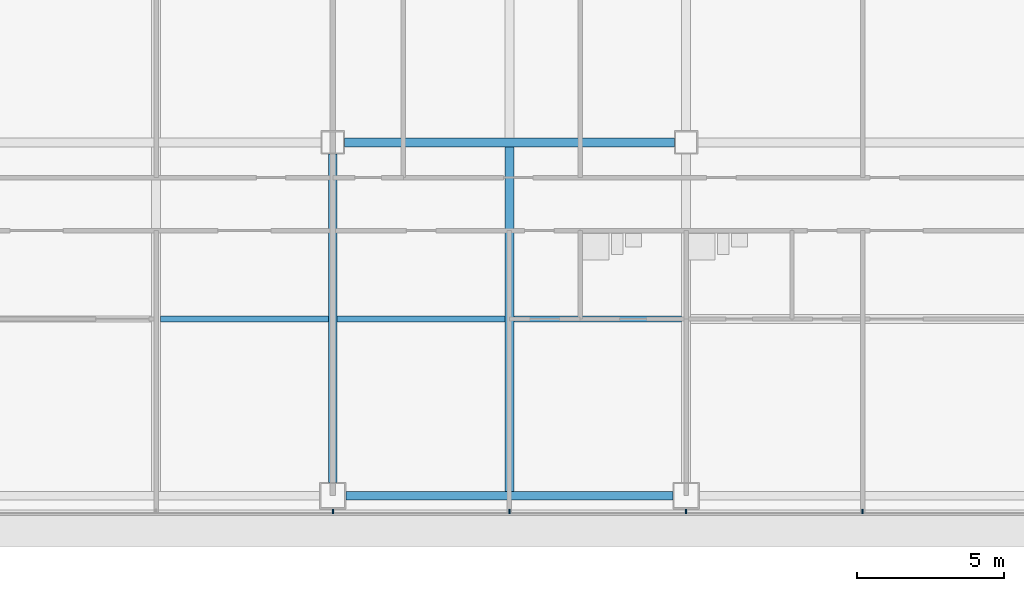
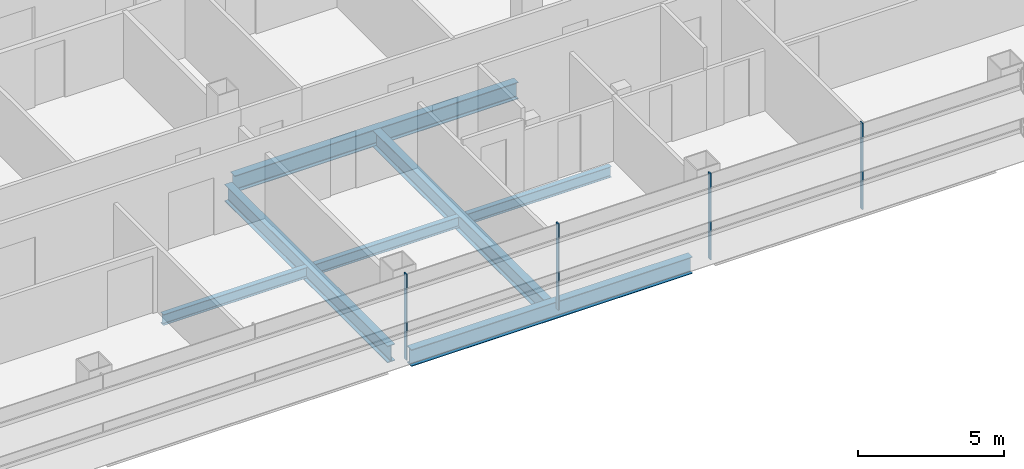
# One storey, part 8 of 27: 7 beams, 4 members, 1 element without a shape of its own.
"""IFC4 building model written with IfcOpenShell, lengths in metres."""

from ifc_helpers import new_model, si_unit, direction, frame, origin, origin_2d, place, context, subcontext, project, spatial, rectangle, i_section, extrude, material, material_profile, profile_set, type_object, element, aggregate, save


model = new_model("IFC4")

# Units and contexts
model_context = context("Model", 3, precision=1e-05, world=origin(), true_north=direction((0.0, 1.0)))
body_context = subcontext(model_context, "Body", "Model", "MODEL_VIEW")
ifc_project = project(units=[si_unit("LENGTHUNIT", "METRE"), si_unit("AREAUNIT", "SQUARE_METRE"), si_unit("VOLUMEUNIT", "CUBIC_METRE"), si_unit("PLANEANGLEUNIT", "RADIAN"), si_unit("MASSUNIT", "GRAM", prefix="KILO")], contexts=[model_context])

# Site, building, storey
site_placement = place(None, origin())
site = spatial("IfcSite", under=ifc_project, at=site_placement, CompositionType="ELEMENT")
building_placement = place(site_placement, origin())
building = spatial("IfcBuilding", under=site, at=building_placement, Name="Sorahane Residences", CompositionType="ELEMENT")
storey_placement = place(building_placement, frame((0.0, 0.0, 57.0)))
storey = spatial("IfcBuildingStorey", under=building, at=storey_placement, Name="L10", CompositionType="ELEMENT", Elevation=57.0)

# Curtain wall, members
ifc_material_1 = material(Name="Dark low-e glass and black anodised aluminium", Category="aluminium")
curtain_wall_type = type_object("IfcCurtainWallType", Name="Curtain wall CW-1 Typical unitised wall", PredefinedType="NOTDEFINED", material=ifc_material_1)
curtain_wall_placement = place(storey_placement, origin())
curtain_wall = element("IfcCurtainWall", 1, at=curtain_wall_placement, inside=storey, type_object=curtain_wall_type, Name="CW-1 curtain wall L10 S1", PredefinedType="NOTDEFINED")
ifc_material_2 = material(Name="Black anodised aluminium", Category="aluminium")
ifc_material_profile_1 = material_profile(ifc_material_2, rectangle(XDim=0.159912109375, YDim=0.050048828125, at=origin_2d()), Name="Curtain wall mullion CW-1 black anodised aluminium 50x160")
ifc_profile_set_1 = profile_set([ifc_material_profile_1], Name="Black anodised aluminium")
member_type = type_object("IfcMemberType", Name="Curtain wall mullion CW-1 black anodised aluminium 50x160", PredefinedType="MULLION", material=ifc_profile_set_1)
member_1_placement = place(storey_placement, frame((36.0, -0.5400390625, -0.179931640625), z_axis=(0.0, 0.0, 1.0), x_axis=(0.0, -1.0, 0.0)))
member_1 = element("IfcMember", 2, at=member_1_placement, type_object=member_type, Name="CW-1 mullion L10 S1.6", PredefinedType="MULLION", context=body_context, shape_type="SweptSolid", body=[
    extrude(rectangle(XDim=0.159912109375, YDim=0.050048828125, at=origin_2d()), origin(), (0.0, 0.0, 1.0), 3.599853515625),
])
member_2_placement = place(storey_placement, frame((42.0, -0.5400390625, -0.179931640625), z_axis=(0.0, 0.0, 1.0), x_axis=(0.0, -1.0, 0.0)))
member_2 = element("IfcMember", 3, at=member_2_placement, type_object=member_type, Name="CW-1 mullion L10 S1.7", PredefinedType="MULLION", context=body_context, shape_type="SweptSolid", body=[
    extrude(rectangle(XDim=0.159912109375, YDim=0.050048828125, at=origin_2d()), origin(), (0.0, 0.0, 1.0), 3.599853515625),
])
member_3_placement = place(storey_placement, frame((48.0, -0.5400390625, -0.179931640625), z_axis=(0.0, 0.0, 1.0), x_axis=(0.0, -1.0, 0.0)))
member_3 = element("IfcMember", 4, at=member_3_placement, type_object=member_type, Name="CW-1 mullion L10 S1.8", PredefinedType="MULLION", context=body_context, shape_type="SweptSolid", body=[
    extrude(rectangle(XDim=0.159912109375, YDim=0.050048828125, at=origin_2d()), origin(), (0.0, 0.0, 1.0), 3.599853515625),
])
member_4_placement = place(storey_placement, frame((54.0, -0.5400390625, -0.179931640625), z_axis=(0.0, 0.0, 1.0), x_axis=(0.0, -1.0, 0.0)))
member_4 = element("IfcMember", 5, at=member_4_placement, type_object=member_type, Name="CW-1 mullion L10 S1.9", PredefinedType="MULLION", context=body_context, shape_type="SweptSolid", body=[
    extrude(rectangle(XDim=0.159912109375, YDim=0.050048828125, at=origin_2d()), origin(), (0.0, 0.0, 1.0), 3.599853515625),
])
aggregate(curtain_wall, [member_1, member_2, member_3, member_4])

# Beams
ifc_material_3 = material(Name="Steel Q355B", Category="steel")
ifc_material_profile_2 = material_profile(ifc_material_3, i_section(OverallWidth=0.199951171875, OverallDepth=0.449951171875, WebThickness=0.009033203125, FlangeThickness=0.013916015625, FilletRadius=0.02001953125, at=origin_2d()), Name="HN 450x200x9x14")
ifc_profile_set_2 = profile_set([ifc_material_profile_2], Name="Steel Q355B")
beam_type_1 = type_object("IfcBeamType", Name="Steel floor beam HN 450x200x9x14 Q355B", PredefinedType="BEAM", material=ifc_profile_set_2)
for number, where, z_axis, x_axis, name in (
    (6, (30.14990234375, 6.0, -0.405029296875), (1.0, 0.0, 0.0), (0.0, 1.0, 0.0), "Beam L10 066"),
    (7, (36.14990234375, 6.0, -0.405029296875), (1.0, 0.0, 0.0), (0.0, 1.0, 0.0), "Beam L10 067"),
    (8, (42.14990234375, 6.0, -0.405029296875), (1.0, 0.0, 0.0), (0.0, 1.0, 0.0), "Beam L10 068"),
):
    element("IfcBeam", number, at=place(storey_placement, frame(where, z_axis=z_axis, x_axis=x_axis)), inside=storey, type_object=beam_type_1, Name=name, PredefinedType="BEAM", context=body_context, shape_type="SweptSolid", body=[
        extrude(i_section(OverallWidth=0.199951171875, OverallDepth=0.449951171875, WebThickness=0.009033203125, FlangeThickness=0.013916015625, FilletRadius=0.02001953125, at=origin_2d()), origin(), (0.0, 0.0, 1.0), 5.7001953125),
    ])
ifc_material_4 = material(Name="Steel Q355B", Category="steel")
ifc_material_profile_3 = material_profile(ifc_material_4, i_section(OverallWidth=0.300048828125, OverallDepth=0.699951171875, WebThickness=0.012939453125, FlangeThickness=0.02392578125, FilletRadius=0.028076171875, at=origin_2d()), Name="HN 700x300x13x24")
ifc_profile_set_3 = profile_set([ifc_material_profile_3], Name="Steel Q355B")
beam_type_2 = type_object("IfcBeamType", Name="Steel floor beam HN 700x300x13x24 Q355B", PredefinedType="BEAM", material=ifc_profile_set_3)
beam_1_placement = place(storey_placement, frame((36.449951171875, 0.0, -0.530029296875), z_axis=(1.0, 0.0, 0.0), x_axis=(0.0, 1.0, 0.0)))
element("IfcBeam", 9, at=beam_1_placement, inside=storey, type_object=beam_type_2, Name="Beam L10 003", PredefinedType="BEAM", context=body_context, shape_type="SweptSolid", body=[
    extrude(i_section(OverallWidth=0.300048828125, OverallDepth=0.699951171875, WebThickness=0.012939453125, FlangeThickness=0.02392578125, FilletRadius=0.028076171875, at=origin_2d()), origin(), (0.0, 0.0, 1.0), 11.10009765625),
])
beam_2_placement = place(storey_placement, frame((36.39990234375, 12.0, -0.530029296875), z_axis=(1.0, 0.0, 0.0), x_axis=(0.0, 1.0, 0.0)))
element("IfcBeam", 10, at=beam_2_placement, inside=storey, type_object=beam_type_2, Name="Beam L10 008", PredefinedType="BEAM", context=body_context, shape_type="SweptSolid", body=[
    extrude(i_section(OverallWidth=0.300048828125, OverallDepth=0.699951171875, WebThickness=0.012939453125, FlangeThickness=0.02392578125, FilletRadius=0.028076171875, at=origin_2d()), origin(), (0.0, 0.0, 1.0), 11.2001953125),
])
beam_3_placement = place(storey_placement, frame((36.0, 0.449951171875, -0.530029296875), z_axis=(0.0, 1.0, 0.0), x_axis=(-1.0, 0.0, 0.0)))
element("IfcBeam", 11, at=beam_3_placement, inside=storey, type_object=beam_type_2, Name="Beam L10 043", PredefinedType="BEAM", context=body_context, shape_type="SweptSolid", body=[
    extrude(i_section(OverallWidth=0.300048828125, OverallDepth=0.699951171875, WebThickness=0.012939453125, FlangeThickness=0.02392578125, FilletRadius=0.028076171875, at=origin_2d()), origin(), (0.0, 0.0, 1.0), 11.150146484375),
])
beam_4_placement = place(storey_placement, frame((42.0, 0.14990234375, -0.530029296875), z_axis=(0.0, 1.0, 0.0), x_axis=(-1.0, 0.0, 0.0)))
element("IfcBeam", 12, at=beam_4_placement, inside=storey, type_object=beam_type_2, Name="Beam L10 045", PredefinedType="BEAM", context=body_context, shape_type="SweptSolid", body=[
    extrude(i_section(OverallWidth=0.300048828125, OverallDepth=0.699951171875, WebThickness=0.012939453125, FlangeThickness=0.02392578125, FilletRadius=0.028076171875, at=origin_2d()), origin(), (0.0, 0.0, 1.0), 11.7001953125),
])

save(model, "model.ifc")
